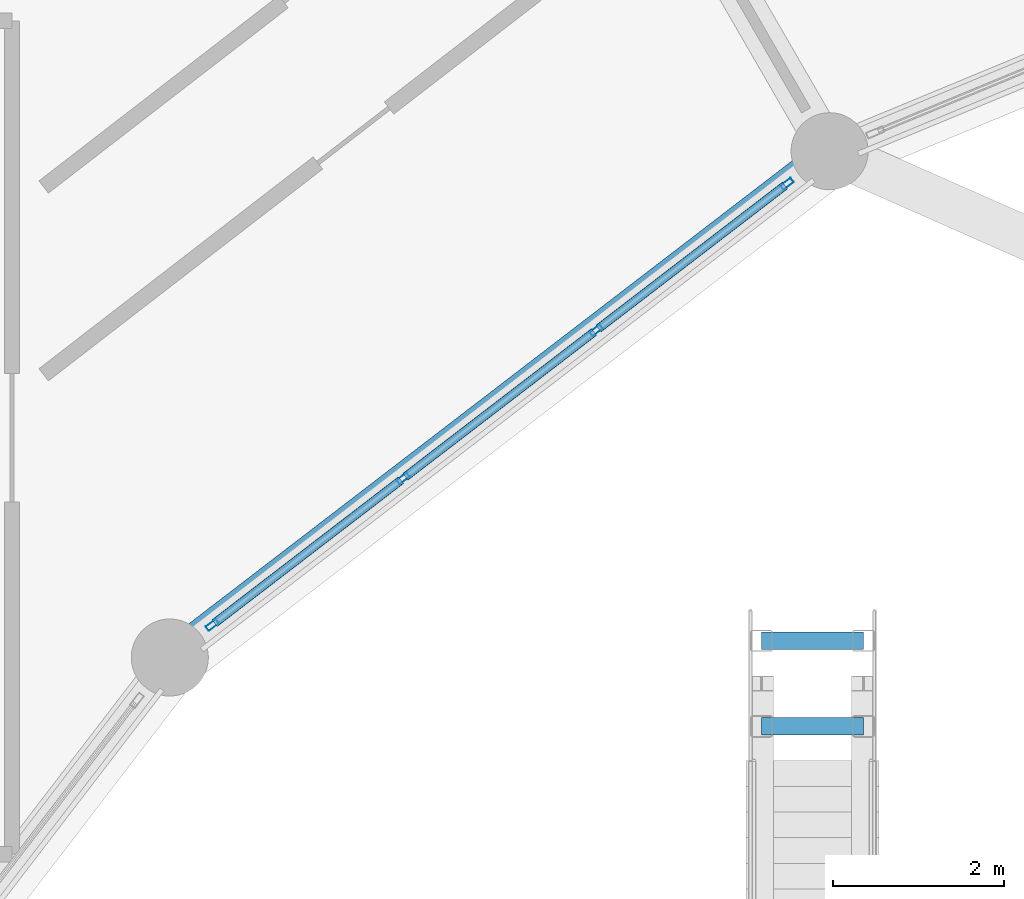
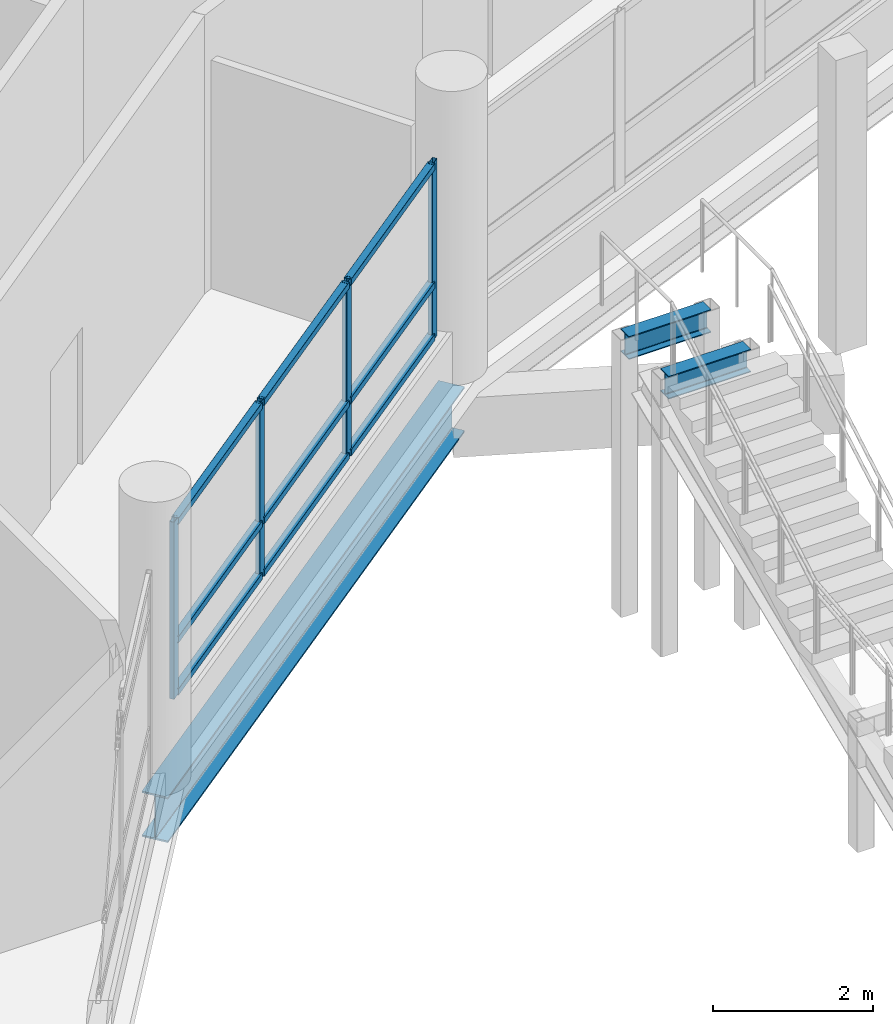
# One storey, part 52 of 129: 13 members, 3 beams, 1 element without a shape of its own.
"""IFC4 building model written with IfcOpenShell, lengths in metres."""

from ifc_helpers import new_model, si_unit, direction, frame, origin, origin_2d, place, context, subcontext, project, spatial, hollow_rectangle, i_section, extrude, material, layer, layer_set, material_profile, profile_set, type_object, element, aggregate, save


model = new_model("IFC4")

# Units and contexts
model_context = context("Model", 3, precision=1e-05, world=origin(), true_north=direction((0.0, 1.0)))
body_context = subcontext(model_context, "Body", "Model", "MODEL_VIEW")
ifc_project = project(units=[si_unit("LENGTHUNIT", "METRE"), si_unit("AREAUNIT", "SQUARE_METRE"), si_unit("VOLUMEUNIT", "CUBIC_METRE"), si_unit("PLANEANGLEUNIT", "RADIAN"), si_unit("MASSUNIT", "GRAM", prefix="KILO")], contexts=[model_context])

# Site, building, storey
site_placement = place(None, origin())
site = spatial("IfcSite", under=ifc_project, at=site_placement, CompositionType="ELEMENT")
building_placement = place(site_placement, origin())
building = spatial("IfcBuilding", under=site, at=building_placement, Name="Vespera Passage Community Centre", CompositionType="ELEMENT")
storey_placement = place(building_placement, origin())
storey = spatial("IfcBuildingStorey", under=building, at=storey_placement, Name="L00", CompositionType="ELEMENT", Elevation=0.0)

# Beams
ifc_material_1 = material(Name="Steel ASTM A992 Grade 50", Category="steel")
ifc_material_profile_1 = material_profile(ifc_material_1, i_section(OverallWidth=0.3544921875, OverallDepth=0.695556640625, WebThickness=0.015380859375, FlangeThickness=0.024658203125, FilletRadius=0.01513671875, at=origin_2d()), Name="W27X146")
ifc_profile_set_1 = profile_set([ifc_material_profile_1], Name="Steel ASTM A992 Grade 50")
beam_type_1 = type_object("IfcBeamType", Name="BM-SP-W27X146E", PredefinedType="SPANDREL", material=ifc_profile_set_1)
beam_placement = place(storey_placement, frame((59.39990234375, 97.716064453125, -0.627685546875), z_axis=(-0.793359869694, -0.60875291963, 0.0), x_axis=(0.60875291963, -0.793359869694, 0.0)))
element("IfcBeam", 1, at=beam_placement, inside=storey, type_object=beam_type_1, Name="V4 L00 Inner Spandrel 8", PredefinedType="SPANDREL", context=body_context, shape_type="SweptSolid", body=[
    extrude(i_section(OverallWidth=0.3544921875, OverallDepth=0.695556640625, WebThickness=0.015380859375, FlangeThickness=0.024658203125, FilletRadius=0.01513671875, at=origin_2d()), origin(), (0.0, 0.0, 1.0), 9.7109375),
])
ifc_material_2 = material(Name="Steel ASTM A992 Grade 50", Category="steel")
ifc_material_profile_2 = material_profile(ifc_material_2, i_section(OverallWidth=0.2041015625, OverallDepth=0.3505859375, WebThickness=0.008544921875, FlangeThickness=0.01513671875, FilletRadius=0.01513671875, at=origin_2d()), Name="W14X48")
ifc_profile_set_2 = profile_set([ifc_material_profile_2], Name="Steel ASTM A992 Grade 50")
beam_type_2 = type_object("IfcBeamType", Name="BM-STR-W14X48E", PredefinedType="BEAM", material=ifc_profile_set_2)
for number, where, z_axis, x_axis, name in (
    (2, (59.794921875, 91.0, 4.06494140625), (-1.0, 0.0, 0.0), (0.0, -1.0, 0.0), "ST-CRT-04 T Header"),
    (3, (59.794921875, 92.0, 4.06494140625), (-1.0, 0.0, 0.0), (0.0, -1.0, 0.0), "ST-CRT-04 TF Header"),
):
    element("IfcBeam", number, at=place(storey_placement, frame(where, z_axis=z_axis, x_axis=x_axis)), inside=storey, type_object=beam_type_2, Name=name, PredefinedType="BEAM", context=body_context, shape_type="SweptSolid", body=[
        extrude(i_section(OverallWidth=0.2041015625, OverallDepth=0.3505859375, WebThickness=0.008544921875, FlangeThickness=0.01513671875, FilletRadius=0.01513671875, at=origin_2d()), origin(), (0.0, 0.0, 1.0), 1.18994140625),
    ])

# Curtain wall, members
ifc_material_3 = material(Name="Anodized aluminium 6063-T6", Category="aluminium")
ifc_layer = layer(ifc_material_3, 0.159912109375)
ifc_layer_set = layer_set([ifc_layer], Name="Anodized aluminium 6063-T6")
curtain_wall_type = type_object("IfcCurtainWallType", Name="CW-05E", PredefinedType="NOTDEFINED", material=ifc_layer_set)
curtain_wall_placement = place(storey_placement, origin())
curtain_wall = element("IfcCurtainWall", 4, at=curtain_wall_placement, inside=storey, type_object=curtain_wall_type, Name="V4 L00 Inner Court Curtain Wall 8", PredefinedType="NOTDEFINED")
ifc_material_4 = material(Name="Anodized aluminium 6063-T6", Category="aluminium")
ifc_material_profile_3 = material_profile(ifc_material_4, hollow_rectangle(XDim=0.06494140625, YDim=0.14990234375, WallThickness=0.00390625, InnerFilletRadius=0.001953125, OuterFilletRadius=0.00390625, at=origin_2d()), Name="ALU150X65X4")
ifc_profile_set_3 = profile_set([ifc_material_profile_3], Name="Anodized aluminium 6063-T6")
member_type_1 = type_object("IfcMemberType", Name="MB-CWM-150E", PredefinedType="MULLION", material=ifc_profile_set_3)
member_1_placement = place(storey_placement, frame((58.903564453125, 97.335205078125, 0.820068359375), z_axis=(0.0, 0.0, 1.0), x_axis=(0.608755087843, -0.793358205999, 0.0)))
member_1 = element("IfcMember", 5, at=member_1_placement, type_object=member_type_1, Name="CW-05E mullion 1", PredefinedType="MULLION", context=body_context, shape_type="SweptSolid", body=[
    extrude(hollow_rectangle(XDim=0.06494140625, YDim=0.14990234375, WallThickness=0.00390625, InnerFilletRadius=0.001953125, OuterFilletRadius=0.00390625, at=origin_2d()), origin(), (0.0, 0.0, 1.0), 2.709228515625),
])
member_2_placement = place(storey_placement, frame((56.675048828125, 95.625244140625, 0.820068359375), z_axis=(0.0, 0.0, 1.0), x_axis=(0.608755087843, -0.793358205999, 0.0)))
member_2 = element("IfcMember", 6, at=member_2_placement, type_object=member_type_1, Name="CW-05E mullion 2", PredefinedType="MULLION", context=body_context, shape_type="SweptSolid", body=[
    extrude(hollow_rectangle(XDim=0.06494140625, YDim=0.14990234375, WallThickness=0.00390625, InnerFilletRadius=0.001953125, OuterFilletRadius=0.00390625, at=origin_2d()), origin(), (0.0, 0.0, 1.0), 2.709228515625),
])
member_3_placement = place(storey_placement, frame((54.420654296875, 93.895263671875, 0.820068359375), z_axis=(0.0, 0.0, 1.0), x_axis=(0.608755087843, -0.793358205999, 0.0)))
member_3 = element("IfcMember", 7, at=member_3_placement, type_object=member_type_1, Name="CW-05E mullion 3", PredefinedType="MULLION", context=body_context, shape_type="SweptSolid", body=[
    extrude(hollow_rectangle(XDim=0.06494140625, YDim=0.14990234375, WallThickness=0.00390625, InnerFilletRadius=0.001953125, OuterFilletRadius=0.00390625, at=origin_2d()), origin(), (0.0, 0.0, 1.0), 2.709228515625),
])
member_4_placement = place(storey_placement, frame((52.19189453125, 92.185302734375, 0.820068359375), z_axis=(0.0, 0.0, 1.0), x_axis=(0.608755087843, -0.793358205999, 0.0)))
member_4 = element("IfcMember", 8, at=member_4_placement, type_object=member_type_1, Name="CW-05E mullion 4", PredefinedType="MULLION", context=body_context, shape_type="SweptSolid", body=[
    extrude(hollow_rectangle(XDim=0.06494140625, YDim=0.14990234375, WallThickness=0.00390625, InnerFilletRadius=0.001953125, OuterFilletRadius=0.00390625, at=origin_2d()), origin(), (0.0, 0.0, 1.0), 2.709228515625),
])
ifc_material_5 = material(Name="Anodized aluminium 6063-T6", Category="aluminium")
ifc_material_profile_4 = material_profile(ifc_material_5, hollow_rectangle(XDim=0.10009765625, YDim=0.10009765625, WallThickness=0.00390625, InnerFilletRadius=0.001953125, OuterFilletRadius=0.00390625, at=origin_2d()), Name="ALU100X100X4")
ifc_profile_set_4 = profile_set([ifc_material_profile_4], Name="Anodized aluminium 6063-T6")
member_type_2 = type_object("IfcMemberType", Name="MB-CWT-100E", PredefinedType="USERDEFINED", material=ifc_profile_set_4)
member_5_placement = place(storey_placement, frame((58.8779296875, 97.3154296875, 0.8701171875), z_axis=(-0.793397254086, -0.608704195162, 0.0), x_axis=(0.608704195162, -0.793397254086, 0.0)))
member_5 = element("IfcMember", 9, at=member_5_placement, type_object=member_type_2, Name="CW-05E transom 1.1", ObjectType="TRANSOM", PredefinedType="USERDEFINED", context=body_context, shape_type="SweptSolid", body=[
    extrude(hollow_rectangle(XDim=0.10009765625, YDim=0.10009765625, WallThickness=0.00390625, InnerFilletRadius=0.001953125, OuterFilletRadius=0.00390625, at=origin_2d()), origin(), (0.0, 0.0, 1.0), 2.744140625),
])
member_6_placement = place(storey_placement, frame((58.8779296875, 97.3154296875, 1.669921875), z_axis=(-0.793397254086, -0.608704195162, 0.0), x_axis=(0.608704195162, -0.793397254086, 0.0)))
member_6 = element("IfcMember", 10, at=member_6_placement, type_object=member_type_2, Name="CW-05E transom 1.2", ObjectType="TRANSOM", PredefinedType="USERDEFINED", context=body_context, shape_type="SweptSolid", body=[
    extrude(hollow_rectangle(XDim=0.10009765625, YDim=0.10009765625, WallThickness=0.00390625, InnerFilletRadius=0.001953125, OuterFilletRadius=0.00390625, at=origin_2d()), origin(), (0.0, 0.0, 1.0), 2.744140625),
])
member_7_placement = place(storey_placement, frame((58.8779296875, 97.3154296875, 3.4794921875), z_axis=(-0.793397254086, -0.608704195162, 0.0), x_axis=(0.608704195162, -0.793397254086, 0.0)))
member_7 = element("IfcMember", 11, at=member_7_placement, type_object=member_type_2, Name="CW-05E transom 1.3", ObjectType="TRANSOM", PredefinedType="USERDEFINED", context=body_context, shape_type="SweptSolid", body=[
    extrude(hollow_rectangle(XDim=0.10009765625, YDim=0.10009765625, WallThickness=0.00390625, InnerFilletRadius=0.001953125, OuterFilletRadius=0.00390625, at=origin_2d()), origin(), (0.0, 0.0, 1.0), 2.744140625),
])
member_8_placement = place(storey_placement, frame((56.649169921875, 95.60546875, 0.8701171875), z_axis=(-0.793335989748, -0.60878404001, 0.0), x_axis=(0.60878404001, -0.793335989748, 0.0)))
member_8 = element("IfcMember", 12, at=member_8_placement, type_object=member_type_2, Name="CW-05E transom 2.1", ObjectType="TRANSOM", PredefinedType="USERDEFINED", context=body_context, shape_type="SweptSolid", body=[
    extrude(hollow_rectangle(XDim=0.10009765625, YDim=0.10009765625, WallThickness=0.00390625, InnerFilletRadius=0.001953125, OuterFilletRadius=0.00390625, at=origin_2d()), origin(), (0.0, 0.0, 1.0), 2.776611328125),
])
member_9_placement = place(storey_placement, frame((56.649169921875, 95.60546875, 1.669921875), z_axis=(-0.793335989748, -0.60878404001, 0.0), x_axis=(0.60878404001, -0.793335989748, 0.0)))
member_9 = element("IfcMember", 13, at=member_9_placement, type_object=member_type_2, Name="CW-05E transom 2.2", ObjectType="TRANSOM", PredefinedType="USERDEFINED", context=body_context, shape_type="SweptSolid", body=[
    extrude(hollow_rectangle(XDim=0.10009765625, YDim=0.10009765625, WallThickness=0.00390625, InnerFilletRadius=0.001953125, OuterFilletRadius=0.00390625, at=origin_2d()), origin(), (0.0, 0.0, 1.0), 2.776611328125),
])
member_10_placement = place(storey_placement, frame((56.649169921875, 95.60546875, 3.4794921875), z_axis=(-0.793335989748, -0.60878404001, 0.0), x_axis=(0.60878404001, -0.793335989748, 0.0)))
member_10 = element("IfcMember", 14, at=member_10_placement, type_object=member_type_2, Name="CW-05E transom 2.3", ObjectType="TRANSOM", PredefinedType="USERDEFINED", context=body_context, shape_type="SweptSolid", body=[
    extrude(hollow_rectangle(XDim=0.10009765625, YDim=0.10009765625, WallThickness=0.00390625, InnerFilletRadius=0.001953125, OuterFilletRadius=0.00390625, at=origin_2d()), origin(), (0.0, 0.0, 1.0), 2.776611328125),
])
member_11_placement = place(storey_placement, frame((54.394775390625, 93.87548828125, 0.8701171875), z_axis=(-0.793364286906, -0.608747162837, 0.0), x_axis=(0.608747162837, -0.793364286906, 0.0)))
member_11 = element("IfcMember", 15, at=member_11_placement, type_object=member_type_2, Name="CW-05E transom 3.1", ObjectType="TRANSOM", PredefinedType="USERDEFINED", context=body_context, shape_type="SweptSolid", body=[
    extrude(hollow_rectangle(XDim=0.10009765625, YDim=0.10009765625, WallThickness=0.00390625, InnerFilletRadius=0.001953125, OuterFilletRadius=0.00390625, at=origin_2d()), origin(), (0.0, 0.0, 1.0), 2.743896484375),
])
member_12_placement = place(storey_placement, frame((54.394775390625, 93.87548828125, 1.669921875), z_axis=(-0.793364286906, -0.608747162837, 0.0), x_axis=(0.608747162837, -0.793364286906, 0.0)))
member_12 = element("IfcMember", 16, at=member_12_placement, type_object=member_type_2, Name="CW-05E transom 3.2", ObjectType="TRANSOM", PredefinedType="USERDEFINED", context=body_context, shape_type="SweptSolid", body=[
    extrude(hollow_rectangle(XDim=0.10009765625, YDim=0.10009765625, WallThickness=0.00390625, InnerFilletRadius=0.001953125, OuterFilletRadius=0.00390625, at=origin_2d()), origin(), (0.0, 0.0, 1.0), 2.743896484375),
])
member_13_placement = place(storey_placement, frame((54.394775390625, 93.87548828125, 3.4794921875), z_axis=(-0.793364286906, -0.608747162837, 0.0), x_axis=(0.608747162837, -0.793364286906, 0.0)))
member_13 = element("IfcMember", 17, at=member_13_placement, type_object=member_type_2, Name="CW-05E transom 3.3", ObjectType="TRANSOM", PredefinedType="USERDEFINED", context=body_context, shape_type="SweptSolid", body=[
    extrude(hollow_rectangle(XDim=0.10009765625, YDim=0.10009765625, WallThickness=0.00390625, InnerFilletRadius=0.001953125, OuterFilletRadius=0.00390625, at=origin_2d()), origin(), (0.0, 0.0, 1.0), 2.743896484375),
])
aggregate(curtain_wall, [member_1, member_2, member_3, member_4, member_5, member_6, member_7, member_8, member_9, member_10, member_11, member_12, member_13])

save(model, "model.ifc")
